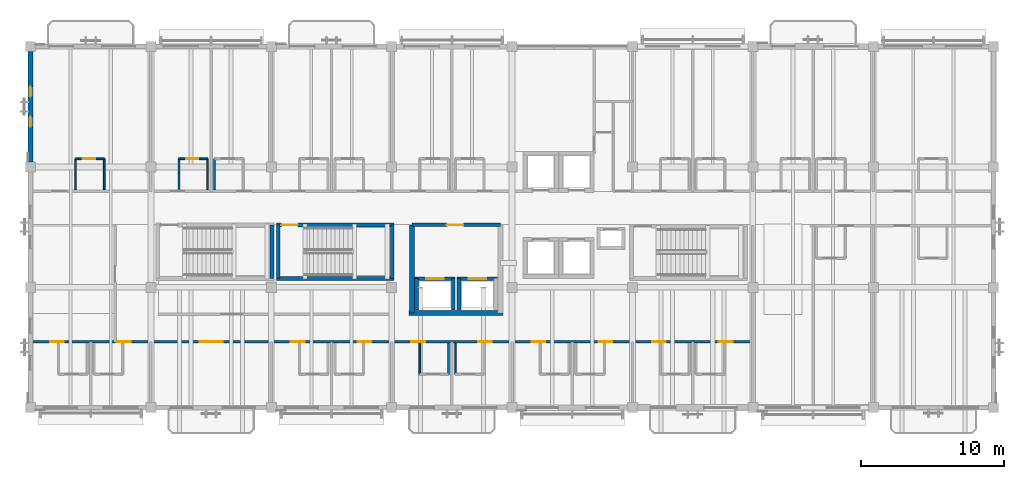
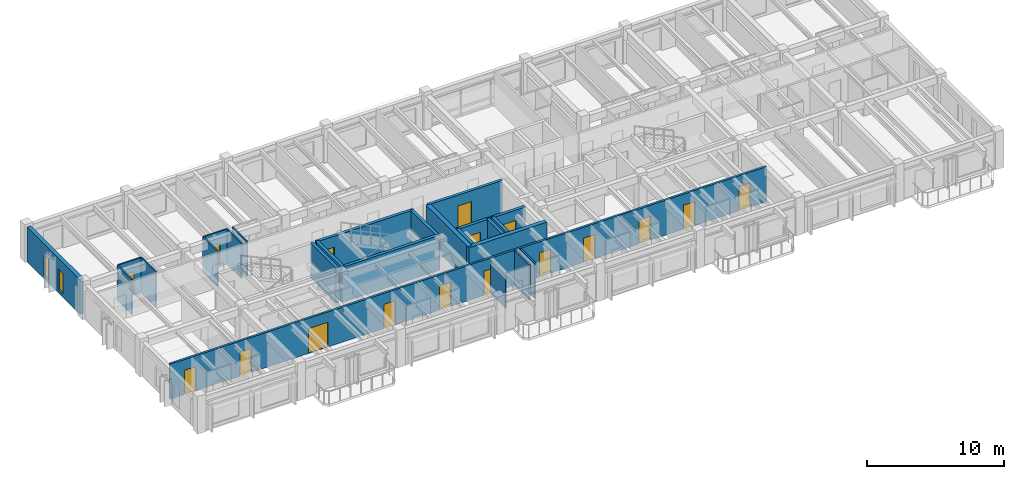
# One storey, part 7 of 18: 25 walls, 17 doors, 2 windows, 19 openings.
"""IFC4 building model written with IfcOpenShell, lengths in metres."""

from ifc_helpers import new_model, si_unit, direction, frame, frame_2d, origin, place, context, subcontext, project, spatial, rectangle, extrude, material, layer, layer_set, type_object, element, fill, save


model = new_model("IFC4")

# Units and contexts
model_context = context("Model", 3, precision=1e-05, world=origin(), true_north=direction((0.0, 1.0)))
body_context = subcontext(model_context, "Body", "Model", "MODEL_VIEW")
ifc_project = project(units=[si_unit("LENGTHUNIT", "METRE"), si_unit("AREAUNIT", "SQUARE_METRE"), si_unit("VOLUMEUNIT", "CUBIC_METRE"), si_unit("PLANEANGLEUNIT", "RADIAN"), si_unit("MASSUNIT", "GRAM", prefix="KILO")], contexts=[model_context])

# Site, building, storey
site_placement = place(None, origin())
site = spatial("IfcSite", under=ifc_project, at=site_placement, CompositionType="ELEMENT")
building_placement = place(site_placement, origin())
building = spatial("IfcBuilding", under=site, at=building_placement, Name="Cumbredor Promenade Congress Hotel", CompositionType="ELEMENT")
storey_placement = place(building_placement, frame((0.0, 0.0, 25.199951171875)))
storey = spatial("IfcBuildingStorey", under=building, at=storey_placement, Name="L07", CompositionType="ELEMENT", Elevation=25.199951171875)

# Walls
ifc_material_1 = material(Name="Concrete C50/60", Category="concrete")
ifc_layer_1 = layer(ifc_material_1, 0.35009765625, Name="Concrete C50/60", Category="concrete")
ifc_layer_set_1 = layer_set([ifc_layer_1], Name="Concrete C50/60")
wall_type_1 = type_object("IfcWallType", Name="Seismic Shear Core Wall 350mm", PredefinedType="SHEAR", material=ifc_layer_set_1)
wall_1_placement = place(storey_placement, frame((26.60009765625, 99.0, 0.0), z_axis=(0.0, 0.0, 1.0), x_axis=(0.0, 1.0, 0.0)))
element("IfcWall", 1, at=wall_1_placement, inside=storey, type_object=wall_type_1, Name="L07 Hotel Core Shear Wall W1", PredefinedType="SHEAR", context=body_context, shape_type="SweptSolid", body=[
    extrude(rectangle(XDim=6.14990234375, YDim=0.35009765625, at=frame_2d((3.074951171875, 0.0))), origin(), (0.0, 0.0, 1.0), 3.1201171875),
])
wall_2_placement = place(storey_placement, frame((26.425048828125, 99.0, 0.0), z_axis=(0.0, 0.0, 1.0), x_axis=(1.0, 0.0, 0.0)))
element("IfcWall", 2, at=wall_2_placement, inside=storey, type_object=wall_type_1, Name="L07 Hotel Core Shear Wall S1", PredefinedType="SHEAR", context=body_context, shape_type="SweptSolid", body=[
    extrude(rectangle(XDim=6.550048828125, YDim=0.35009765625, at=frame_2d((3.27490234375, 0.0))), origin(), (0.0, 0.0, 1.0), 3.1201171875),
])

# Wall, opening, door
ifc_material_2 = material(Name="Moisture-resistant gypsum board on steel studs", Category="steel")
ifc_layer_2 = layer(ifc_material_2, 0.114990234375, Name="Moisture-resistant gypsum board on steel studs", Category="steel")
ifc_layer_set_2 = layer_set([ifc_layer_2], Name="Moisture-resistant gypsum board on steel studs")
wall_type_2 = type_object("IfcWallType", Name="WL-BATH-115", PredefinedType="PARTITIONING", material=ifc_layer_set_2)
wall_3_placement = place(storey_placement, frame((3.14990234375, 109.77001953125, 0.0), z_axis=(0.0, 0.0, 1.0), x_axis=(1.0, 0.0, 0.0)))
wall_3 = element("IfcWall", 3, at=wall_3_placement, inside=storey, type_object=wall_type_2, Name="L07 Interior Partition W-L07-BH-0701", PredefinedType="PARTITIONING", context=body_context, shape_type="SweptSolid", body=[
    extrude(rectangle(XDim=2.0, YDim=0.114990234375, at=frame_2d((1.0, 0.0))), origin(), (0.0, 0.0, 1.0), 3.1201171875),
])
opening_1_placement = place(wall_3_placement, frame((0.5, 0.0, 0.0)))
opening_1 = element("IfcOpeningElement", 4, at=opening_1_placement, cuts=wall_3, Name="Opening ID-01", PredefinedType="OPENING", context=body_context, shape_type="SweptSolid", body=[
    extrude(rectangle(XDim=0.860107421875, YDim=2.050048828125, at=frame_2d((0.43017578125, 1.02490234375))), frame((0.0, 0.0673828125, 0.0), z_axis=(0.0, -1.0, 0.0), x_axis=(1.0, 0.0, 0.0)), (0.0, 0.0, 1.0), 0.135009765625),
])
ifc_material_3 = material(Name="Kiln-dried tropical hardwood", Category="wood")
door_type_1 = type_object("IfcDoorType", Name="DR-BATH-860", OperationType="NOTDEFINED", PredefinedType="DOOR", material=ifc_material_3)
door_1_placement = place(opening_1_placement, origin())
door_1 = element("IfcDoor", 5, at=door_1_placement, inside=storey, type_object=door_type_1, Name="L07 Interior Door W-L07-BH-0701-01", OperationType="SINGLE_SWING_LEFT", OverallHeight=2.050048828125, OverallWidth=0.860107421875, PredefinedType="DOOR", context=body_context, shape_type="SweptSolid", body=[
    extrude(rectangle(XDim=0.860107421875, YDim=2.050048828125, at=frame_2d((0.43017578125, 1.02490234375))), frame((0.0, 0.02490234375, 0.0), z_axis=(0.0, -1.0, 0.0), x_axis=(1.0, 0.0, 0.0)), (0.0, 0.0, 1.0), 0.050048828125),
])
fill(opening_1, door_1)

# Walls
for number, where, z_axis, x_axis, name in (
    (6, (3.14990234375, 107.6201171875, 0.0), (0.0, 0.0, 1.0), (0.0, 1.0, 0.0), "L07 Interior Partition W-L07-BV1-0701"),
    (7, (5.14990234375, 107.6201171875, 0.0), (0.0, 0.0, 1.0), (0.0, 1.0, 0.0), "L07 Interior Partition W-L07-BV2-0701"),
):
    element("IfcWall", number, at=place(storey_placement, frame(where, z_axis=z_axis, x_axis=x_axis)), inside=storey, type_object=wall_type_2, Name=name, PredefinedType="PARTITIONING", context=body_context, shape_type="SweptSolid", body=[
        extrude(rectangle(XDim=2.14990234375, YDim=0.114990234375, at=frame_2d((1.074951171875, 0.0))), origin(), (0.0, 0.0, 1.0), 3.1201171875),
    ])

# Wall, opening, door
wall_4_placement = place(storey_placement, frame((10.360107421875, 109.77001953125, 0.0), z_axis=(0.0, 0.0, 1.0), x_axis=(1.0, 0.0, 0.0)))
wall_4 = element("IfcWall", 8, at=wall_4_placement, inside=storey, type_object=wall_type_2, Name="L07 Interior Partition W-L07-BH-0702", PredefinedType="PARTITIONING", context=body_context, shape_type="SweptSolid", body=[
    extrude(rectangle(XDim=2.0, YDim=0.114990234375, at=frame_2d((1.0, 0.0))), origin(), (0.0, 0.0, 1.0), 3.1201171875),
])
opening_2_placement = place(wall_4_placement, frame((0.5, 0.0, 0.0)))
opening_2 = element("IfcOpeningElement", 9, at=opening_2_placement, cuts=wall_4, Name="Opening ID-01", PredefinedType="OPENING", context=body_context, shape_type="SweptSolid", body=[
    extrude(rectangle(XDim=0.860107421875, YDim=2.050048828125, at=frame_2d((0.43017578125, 1.02490234375))), frame((0.0, 0.0673828125, 0.0), z_axis=(0.0, -1.0, 0.0), x_axis=(1.0, 0.0, 0.0)), (0.0, 0.0, 1.0), 0.135009765625),
])
door_2_placement = place(opening_2_placement, origin())
door_2 = element("IfcDoor", 10, at=door_2_placement, inside=storey, type_object=door_type_1, Name="L07 Interior Door W-L07-BH-0702-01", OperationType="SINGLE_SWING_RIGHT", OverallHeight=2.050048828125, OverallWidth=0.860107421875, PredefinedType="DOOR", context=body_context, shape_type="SweptSolid", body=[
    extrude(rectangle(XDim=0.860107421875, YDim=2.050048828125, at=frame_2d((0.43017578125, 1.02490234375))), frame((0.0, 0.02490234375, 0.0), z_axis=(0.0, -1.0, 0.0), x_axis=(1.0, 0.0, 0.0)), (0.0, 0.0, 1.0), 0.050048828125),
])
fill(opening_2, door_2)

# Walls
for number, where, z_axis, x_axis, name in (
    (11, (10.360107421875, 107.6201171875, 0.0), (0.0, 0.0, 1.0), (0.0, 1.0, 0.0), "L07 Interior Partition W-L07-BV1-0702"),
    (12, (12.360107421875, 107.6201171875, 0.0), (0.0, 0.0, 1.0), (0.0, 1.0, 0.0), "L07 Interior Partition W-L07-BV2-0702"),
    (13, (12.840087890625, 107.6201171875, 0.0), (0.0, 0.0, 1.0), (0.0, 1.0, 0.0), "L07 Interior Partition W-L07-BV1-0703"),
):
    element("IfcWall", number, at=place(storey_placement, frame(where, z_axis=z_axis, x_axis=x_axis)), inside=storey, type_object=wall_type_2, Name=name, PredefinedType="PARTITIONING", context=body_context, shape_type="SweptSolid", body=[
        extrude(rectangle(XDim=2.14990234375, YDim=0.114990234375, at=frame_2d((1.074951171875, 0.0))), origin(), (0.0, 0.0, 1.0), 3.1201171875),
    ])
wall_5_placement = place(storey_placement, frame((27.159912109375, 94.72998046875, 0.0), z_axis=(0.0, 0.0, 1.0), x_axis=(0.0, 1.0, 0.0)))
element("IfcWall", 14, at=wall_5_placement, inside=storey, type_object=wall_type_2, Name="L07 Interior Partition W-L07-BV1-0777", PredefinedType="PARTITIONING", context=body_context, shape_type="SweptSolid", body=[
    extrude(rectangle(XDim=2.14990234375, YDim=0.114990234375, at=frame_2d((1.074951171875, 0.0))), origin(), (0.0, 0.0, 1.0), 2.64208984375),
])
for number, where, z_axis, x_axis, name in (
    (15, (29.159912109375, 94.72998046875, 0.0), (0.0, 0.0, 1.0), (0.0, 1.0, 0.0), "L07 Interior Partition W-L07-BV2-0777"),
    (16, (29.639892578125, 94.72998046875, 0.0), (0.0, 0.0, 1.0), (0.0, 1.0, 0.0), "L07 Interior Partition W-L07-BV1-0778"),
):
    element("IfcWall", number, at=place(storey_placement, frame(where, z_axis=z_axis, x_axis=x_axis)), inside=storey, type_object=wall_type_2, Name=name, PredefinedType="PARTITIONING", context=body_context, shape_type="SweptSolid", body=[
        extrude(rectangle(XDim=2.14990234375, YDim=0.114990234375, at=frame_2d((1.074951171875, 0.0))), origin(), (0.0, 0.0, 1.0), 3.1201171875),
    ])

# Wall, openings, doors
ifc_material_4 = material(Name="Fire-rated hotel corridor wall")
ifc_layer_3 = layer(ifc_material_4, 0.179931640625, Name="Fire-rated hotel corridor wall")
ifc_layer_set_3 = layer_set([ifc_layer_3], Name="Fire-rated hotel corridor wall")
wall_type_3 = type_object("IfcWallType", Name="WL-CORR-180", PredefinedType="PARTITIONING", material=ifc_layer_set_3)
wall_6_placement = place(storey_placement, frame((0.139892578125, 97.0, 0.0), z_axis=(0.0, 0.0, 1.0), x_axis=(1.0, 0.0, 0.0)))
wall_6 = element("IfcWall", 17, at=wall_6_placement, inside=storey, type_object=wall_type_3, Name="L07 Interior Partition W-L07-SC-CORRW", PredefinedType="PARTITIONING", context=body_context, shape_type="SweptSolid", body=[
    extrude(rectangle(XDim=50.260009765625, YDim=0.179931640625, at=frame_2d((25.1298828125, 0.0))), origin(), (0.0, 0.0, 1.0), 3.1201171875),
])
opening_3_placement = place(wall_6_placement, frame((1.22998046875, 0.0, 0.0)))
opening_3 = element("IfcOpeningElement", 18, at=opening_3_placement, cuts=wall_6, Name="Opening FD-01", PredefinedType="OPENING", context=body_context, shape_type="SweptSolid", body=[
    extrude(rectangle(XDim=0.9599609375, YDim=2.14990234375, at=frame_2d((0.47998046875, 1.074951171875))), frame((0.0, 0.10009765625, 0.0), z_axis=(0.0, -1.0, 0.0), x_axis=(1.0, 0.0, 0.0)), (0.0, 0.0, 1.0), 0.199951171875),
])
opening_4_placement = place(wall_6_placement, frame((5.889892578125, 0.0, 0.0)))
opening_4 = element("IfcOpeningElement", 19, at=opening_4_placement, cuts=wall_6, Name="Opening FD-01", PredefinedType="OPENING", context=body_context, shape_type="SweptSolid", body=[
    extrude(rectangle(XDim=0.9599609375, YDim=2.14990234375, at=frame_2d((0.47998046875, 1.074951171875))), frame((0.0, 0.10009765625, 0.0), z_axis=(0.0, -1.0, 0.0), x_axis=(1.0, 0.0, 0.0)), (0.0, 0.0, 1.0), 0.199951171875),
])
opening_5_placement = place(wall_6_placement, frame((11.659912109375, 0.0, 0.0)))
opening_5 = element("IfcOpeningElement", 20, at=opening_5_placement, cuts=wall_6, Name="Opening FD-08", PredefinedType="OPENING", context=body_context, shape_type="SweptSolid", body=[
    extrude(rectangle(XDim=1.6201171875, YDim=2.199951171875, at=frame_2d((0.81005859375, 1.10009765625))), frame((0.0, 0.10009765625, 0.0), z_axis=(0.0, -1.0, 0.0), x_axis=(1.0, 0.0, 0.0)), (0.0, 0.0, 1.0), 0.199951171875),
])
opening_6_placement = place(wall_6_placement, frame((18.030029296875, 0.0, 0.0)))
opening_6 = element("IfcOpeningElement", 21, at=opening_6_placement, cuts=wall_6, Name="Opening FD-01", PredefinedType="OPENING", context=body_context, shape_type="SweptSolid", body=[
    extrude(rectangle(XDim=0.9599609375, YDim=2.14990234375, at=frame_2d((0.47998046875, 1.074951171875))), frame((0.0, 0.10009765625, 0.0), z_axis=(0.0, -1.0, 0.0), x_axis=(1.0, 0.0, 0.0)), (0.0, 0.0, 1.0), 0.199951171875),
])
opening_7_placement = place(wall_6_placement, frame((22.68994140625, 0.0, 0.0)))
opening_7 = element("IfcOpeningElement", 22, at=opening_7_placement, cuts=wall_6, Name="Opening FD-01", PredefinedType="OPENING", context=body_context, shape_type="SweptSolid", body=[
    extrude(rectangle(XDim=0.9599609375, YDim=2.14990234375, at=frame_2d((0.47998046875, 1.074951171875))), frame((0.0, 0.10009765625, 0.0), z_axis=(0.0, -1.0, 0.0), x_axis=(1.0, 0.0, 0.0)), (0.0, 0.0, 1.0), 0.199951171875),
])
opening_8_placement = place(wall_6_placement, frame((26.429931640625, 0.0, 0.0)))
opening_8 = element("IfcOpeningElement", 23, at=opening_8_placement, cuts=wall_6, Name="Opening FD-01", PredefinedType="OPENING", context=body_context, shape_type="SweptSolid", body=[
    extrude(rectangle(XDim=0.9599609375, YDim=2.14990234375, at=frame_2d((0.47998046875, 1.074951171875))), frame((0.0, 0.10009765625, 0.0), z_axis=(0.0, -1.0, 0.0), x_axis=(1.0, 0.0, 0.0)), (0.0, 0.0, 1.0), 0.199951171875),
])
opening_9_placement = place(wall_6_placement, frame((31.090087890625, 0.0, 0.0)))
opening_9 = element("IfcOpeningElement", 24, at=opening_9_placement, cuts=wall_6, Name="Opening FD-01", PredefinedType="OPENING", context=body_context, shape_type="SweptSolid", body=[
    extrude(rectangle(XDim=0.9599609375, YDim=2.14990234375, at=frame_2d((0.47998046875, 1.074951171875))), frame((0.0, 0.10009765625, 0.0), z_axis=(0.0, -1.0, 0.0), x_axis=(1.0, 0.0, 0.0)), (0.0, 0.0, 1.0), 0.199951171875),
])
opening_10_placement = place(wall_6_placement, frame((34.830078125, 0.0, 0.0)))
opening_10 = element("IfcOpeningElement", 25, at=opening_10_placement, cuts=wall_6, Name="Opening FD-01", PredefinedType="OPENING", context=body_context, shape_type="SweptSolid", body=[
    extrude(rectangle(XDim=0.9599609375, YDim=2.14990234375, at=frame_2d((0.47998046875, 1.074951171875))), frame((0.0, 0.10009765625, 0.0), z_axis=(0.0, -1.0, 0.0), x_axis=(1.0, 0.0, 0.0)), (0.0, 0.0, 1.0), 0.199951171875),
])
opening_11_placement = place(wall_6_placement, frame((39.489990234375, 0.0, 0.0)))
opening_11 = element("IfcOpeningElement", 26, at=opening_11_placement, cuts=wall_6, Name="Opening FD-01", PredefinedType="OPENING", context=body_context, shape_type="SweptSolid", body=[
    extrude(rectangle(XDim=0.9599609375, YDim=2.14990234375, at=frame_2d((0.47998046875, 1.074951171875))), frame((0.0, 0.10009765625, 0.0), z_axis=(0.0, -1.0, 0.0), x_axis=(1.0, 0.0, 0.0)), (0.0, 0.0, 1.0), 0.199951171875),
])
opening_12_placement = place(wall_6_placement, frame((43.22998046875, 0.0, 0.0)))
opening_12 = element("IfcOpeningElement", 27, at=opening_12_placement, cuts=wall_6, Name="Opening FD-01", PredefinedType="OPENING", context=body_context, shape_type="SweptSolid", body=[
    extrude(rectangle(XDim=0.9599609375, YDim=2.14990234375, at=frame_2d((0.47998046875, 1.074951171875))), frame((0.0, 0.10009765625, 0.0), z_axis=(0.0, -1.0, 0.0), x_axis=(1.0, 0.0, 0.0)), (0.0, 0.0, 1.0), 0.199951171875),
])
opening_13_placement = place(wall_6_placement, frame((47.889892578125, 0.0, 0.0)))
opening_13 = element("IfcOpeningElement", 28, at=opening_13_placement, cuts=wall_6, Name="Opening FD-01", PredefinedType="OPENING", context=body_context, shape_type="SweptSolid", body=[
    extrude(rectangle(XDim=0.9599609375, YDim=2.14990234375, at=frame_2d((0.47998046875, 1.074951171875))), frame((0.0, 0.10009765625, 0.0), z_axis=(0.0, -1.0, 0.0), x_axis=(1.0, 0.0, 0.0)), (0.0, 0.0, 1.0), 0.199951171875),
])
ifc_material_5 = material(Name="Solid-core fire-rated tropical hardwood", Category="wood")
door_type_2 = type_object("IfcDoorType", Name="DR-DBL-FD60-1600", OperationType="DOUBLE_DOOR_SINGLE_SWING", PredefinedType="DOOR", material=ifc_material_5)
door_3_placement = place(opening_5_placement, origin())
door_3 = element("IfcDoor", 29, at=door_3_placement, inside=storey, type_object=door_type_2, Name="L07 Interior Door W-L07-SC-CORRW-03", OperationType="DOUBLE_DOOR_SINGLE_SWING", OverallHeight=2.199951171875, OverallWidth=1.6201171875, PredefinedType="DOOR", context=body_context, shape_type="SweptSolid", body=[
    extrude(rectangle(XDim=1.6201171875, YDim=2.199951171875, at=frame_2d((0.81005859375, 1.10009765625))), frame((0.0, 0.02490234375, 0.0), z_axis=(0.0, -1.0, 0.0), x_axis=(1.0, 0.0, 0.0)), (0.0, 0.0, 1.0), 0.050048828125),
])
fill(opening_5, door_3)
door_type_3 = type_object("IfcDoorType", Name="DR-GUEST-FD30-950", OperationType="NOTDEFINED", PredefinedType="DOOR", material=ifc_material_5)
door_4_placement = place(opening_3_placement, origin())
door_4 = element("IfcDoor", 30, at=door_4_placement, inside=storey, type_object=door_type_3, Name="L07 Interior Door W-L07-SC-CORRW-01", OperationType="SINGLE_SWING_RIGHT", OverallHeight=2.14990234375, OverallWidth=0.9599609375, PredefinedType="DOOR", context=body_context, shape_type="SweptSolid", body=[
    extrude(rectangle(XDim=0.9599609375, YDim=2.14990234375, at=frame_2d((0.47998046875, 1.074951171875))), frame((0.0, 0.02490234375, 0.0), z_axis=(0.0, -1.0, 0.0), x_axis=(1.0, 0.0, 0.0)), (0.0, 0.0, 1.0), 0.050048828125),
])
fill(opening_3, door_4)
door_5_placement = place(opening_4_placement, origin())
door_5 = element("IfcDoor", 31, at=door_5_placement, inside=storey, type_object=door_type_3, Name="L07 Interior Door W-L07-SC-CORRW-02", OperationType="SINGLE_SWING_LEFT", OverallHeight=2.14990234375, OverallWidth=0.9599609375, PredefinedType="DOOR", context=body_context, shape_type="SweptSolid", body=[
    extrude(rectangle(XDim=0.9599609375, YDim=2.14990234375, at=frame_2d((0.47998046875, 1.074951171875))), frame((0.0, 0.02490234375, 0.0), z_axis=(0.0, -1.0, 0.0), x_axis=(1.0, 0.0, 0.0)), (0.0, 0.0, 1.0), 0.050048828125),
])
fill(opening_4, door_5)
door_6_placement = place(opening_6_placement, origin())
door_6 = element("IfcDoor", 32, at=door_6_placement, inside=storey, type_object=door_type_3, Name="L07 Interior Door W-L07-SC-CORRW-04", OperationType="SINGLE_SWING_RIGHT", OverallHeight=2.14990234375, OverallWidth=0.9599609375, PredefinedType="DOOR", context=body_context, shape_type="SweptSolid", body=[
    extrude(rectangle(XDim=0.9599609375, YDim=2.14990234375, at=frame_2d((0.47998046875, 1.074951171875))), frame((0.0, 0.02490234375, 0.0), z_axis=(0.0, -1.0, 0.0), x_axis=(1.0, 0.0, 0.0)), (0.0, 0.0, 1.0), 0.050048828125),
])
fill(opening_6, door_6)
door_7_placement = place(opening_7_placement, origin())
door_7 = element("IfcDoor", 33, at=door_7_placement, inside=storey, type_object=door_type_3, Name="L07 Interior Door W-L07-SC-CORRW-05", OperationType="SINGLE_SWING_LEFT", OverallHeight=2.14990234375, OverallWidth=0.9599609375, PredefinedType="DOOR", context=body_context, shape_type="SweptSolid", body=[
    extrude(rectangle(XDim=0.9599609375, YDim=2.14990234375, at=frame_2d((0.47998046875, 1.074951171875))), frame((0.0, 0.02490234375, 0.0), z_axis=(0.0, -1.0, 0.0), x_axis=(1.0, 0.0, 0.0)), (0.0, 0.0, 1.0), 0.050048828125),
])
fill(opening_7, door_7)
door_8_placement = place(opening_8_placement, origin())
door_8 = element("IfcDoor", 34, at=door_8_placement, inside=storey, type_object=door_type_3, Name="L07 Interior Door W-L07-SC-CORRW-06", OperationType="SINGLE_SWING_RIGHT", OverallHeight=2.14990234375, OverallWidth=0.9599609375, PredefinedType="DOOR", context=body_context, shape_type="SweptSolid", body=[
    extrude(rectangle(XDim=0.9599609375, YDim=2.14990234375, at=frame_2d((0.47998046875, 1.074951171875))), frame((0.0, 0.02490234375, 0.0), z_axis=(0.0, -1.0, 0.0), x_axis=(1.0, 0.0, 0.0)), (0.0, 0.0, 1.0), 0.050048828125),
])
fill(opening_8, door_8)
door_9_placement = place(opening_9_placement, origin())
door_9 = element("IfcDoor", 35, at=door_9_placement, inside=storey, type_object=door_type_3, Name="L07 Interior Door W-L07-SC-CORRW-07", OperationType="SINGLE_SWING_LEFT", OverallHeight=2.14990234375, OverallWidth=0.9599609375, PredefinedType="DOOR", context=body_context, shape_type="SweptSolid", body=[
    extrude(rectangle(XDim=0.9599609375, YDim=2.14990234375, at=frame_2d((0.47998046875, 1.074951171875))), frame((0.0, 0.02490234375, 0.0), z_axis=(0.0, -1.0, 0.0), x_axis=(1.0, 0.0, 0.0)), (0.0, 0.0, 1.0), 0.050048828125),
])
fill(opening_9, door_9)
door_10_placement = place(opening_10_placement, origin())
door_10 = element("IfcDoor", 36, at=door_10_placement, inside=storey, type_object=door_type_3, Name="L07 Interior Door W-L07-SC-CORRW-08", OperationType="SINGLE_SWING_RIGHT", OverallHeight=2.14990234375, OverallWidth=0.9599609375, PredefinedType="DOOR", context=body_context, shape_type="SweptSolid", body=[
    extrude(rectangle(XDim=0.9599609375, YDim=2.14990234375, at=frame_2d((0.47998046875, 1.074951171875))), frame((0.0, 0.02490234375, 0.0), z_axis=(0.0, -1.0, 0.0), x_axis=(1.0, 0.0, 0.0)), (0.0, 0.0, 1.0), 0.050048828125),
])
fill(opening_10, door_10)
door_11_placement = place(opening_11_placement, origin())
door_11 = element("IfcDoor", 37, at=door_11_placement, inside=storey, type_object=door_type_3, Name="L07 Interior Door W-L07-SC-CORRW-09", OperationType="SINGLE_SWING_LEFT", OverallHeight=2.14990234375, OverallWidth=0.9599609375, PredefinedType="DOOR", context=body_context, shape_type="SweptSolid", body=[
    extrude(rectangle(XDim=0.9599609375, YDim=2.14990234375, at=frame_2d((0.47998046875, 1.074951171875))), frame((0.0, 0.02490234375, 0.0), z_axis=(0.0, -1.0, 0.0), x_axis=(1.0, 0.0, 0.0)), (0.0, 0.0, 1.0), 0.050048828125),
])
fill(opening_11, door_11)
door_12_placement = place(opening_12_placement, origin())
door_12 = element("IfcDoor", 38, at=door_12_placement, inside=storey, type_object=door_type_3, Name="L07 Interior Door W-L07-SC-CORRW-10", OperationType="SINGLE_SWING_RIGHT", OverallHeight=2.14990234375, OverallWidth=0.9599609375, PredefinedType="DOOR", context=body_context, shape_type="SweptSolid", body=[
    extrude(rectangle(XDim=0.9599609375, YDim=2.14990234375, at=frame_2d((0.47998046875, 1.074951171875))), frame((0.0, 0.02490234375, 0.0), z_axis=(0.0, -1.0, 0.0), x_axis=(1.0, 0.0, 0.0)), (0.0, 0.0, 1.0), 0.050048828125),
])
fill(opening_12, door_12)
door_13_placement = place(opening_13_placement, origin())
door_13 = element("IfcDoor", 39, at=door_13_placement, inside=storey, type_object=door_type_3, Name="L07 Interior Door W-L07-SC-CORRW-11", OperationType="SINGLE_SWING_LEFT", OverallHeight=2.14990234375, OverallWidth=0.9599609375, PredefinedType="DOOR", context=body_context, shape_type="SweptSolid", body=[
    extrude(rectangle(XDim=0.9599609375, YDim=2.14990234375, at=frame_2d((0.47998046875, 1.074951171875))), frame((0.0, 0.02490234375, 0.0), z_axis=(0.0, -1.0, 0.0), x_axis=(1.0, 0.0, 0.0)), (0.0, 0.0, 1.0), 0.050048828125),
])
fill(opening_13, door_13)

# Wall, openings, windows
ifc_material_6 = material(Name="Concrete C40/50", Category="concrete")
ifc_layer_4 = layer(ifc_material_6, 0.324951171875, Name="Concrete C40/50", Category="concrete")
ifc_layer_set_4 = layer_set([ifc_layer_4], Name="Concrete C40/50")
wall_type_4 = type_object("IfcWallType", Name="WL-EXT-325", PredefinedType="SOLIDWALL", material=ifc_layer_set_4)
wall_7_placement = place(storey_placement, frame((0.0, 109.551025390625, 0.0), z_axis=(0.0, 0.0, 1.0), x_axis=(0.0, 1.0, 0.0)))
wall_7 = element("IfcWall", 40, at=wall_7_placement, inside=storey, type_object=wall_type_4, Name="L07 Stepped Congress Hotel Wing West Envelope Wall 3", PredefinedType="SOLIDWALL", context=body_context, shape_type="SweptSolid", body=[
    extrude(rectangle(XDim=7.697998046875, YDim=0.324951171875, at=frame_2d((3.84912109375, 0.0))), origin(), (0.0, 0.0, 1.0), 3.1201171875),
])
opening_14_placement = place(wall_7_placement, frame((2.43896484375, 0.0, 0.300048828125)))
opening_14 = element("IfcOpeningElement", 41, at=opening_14_placement, cuts=wall_7, Name="Opening WN-45", PredefinedType="OPENING", context=body_context, shape_type="SweptSolid", body=[
    extrude(rectangle(XDim=0.719970703125, YDim=1.85009765625, at=frame_2d((0.35986328125, 0.925048828125))), frame((0.0, 0.17236328125, 0.0), z_axis=(0.0, -1.0, 0.0), x_axis=(1.0, 0.0, 0.0)), (0.0, 0.0, 1.0), 0.344970703125),
])
opening_15_placement = place(wall_7_placement, frame((4.5390625, 0.0, 0.300048828125)))
opening_15 = element("IfcOpeningElement", 42, at=opening_15_placement, cuts=wall_7, Name="Opening WN-45", PredefinedType="OPENING", context=body_context, shape_type="SweptSolid", body=[
    extrude(rectangle(XDim=0.719970703125, YDim=1.85009765625, at=frame_2d((0.35986328125, 0.925048828125))), frame((0.0, 0.17236328125, 0.0), z_axis=(0.0, -1.0, 0.0), x_axis=(1.0, 0.0, 0.0)), (0.0, 0.0, 1.0), 0.344970703125),
])
ifc_material_7 = material(Name="Thermally broken anodized aluminium and low-E glass", Category="aluminium")
window_type = type_object("IfcWindowType", Name="Vertical Slot Window WN-45 720x1850", PartitioningType="SINGLE_PANEL", PredefinedType="WINDOW", material=ifc_material_7)
window_1_placement = place(opening_14_placement, origin())
window_1 = element("IfcWindow", 43, at=window_1_placement, inside=storey, type_object=window_type, Name="L07 Vertical Slot Window 0642", OverallHeight=1.85009765625, OverallWidth=0.719970703125, PartitioningType="SINGLE_PANEL", PredefinedType="WINDOW", context=body_context, shape_type="SweptSolid", body=[
    extrude(rectangle(XDim=0.719970703125, YDim=1.85009765625, at=frame_2d((0.35986328125, 0.925048828125))), frame((0.0, 0.030029296875, 0.0), z_axis=(0.0, -1.0, 0.0), x_axis=(1.0, 0.0, 0.0)), (0.0, 0.0, 1.0), 0.06005859375),
])
fill(opening_14, window_1)
window_2_placement = place(opening_15_placement, origin())
window_2 = element("IfcWindow", 44, at=window_2_placement, inside=storey, type_object=window_type, Name="L07 Vertical Slot Window 0643", OverallHeight=1.85009765625, OverallWidth=0.719970703125, PartitioningType="SINGLE_PANEL", PredefinedType="WINDOW", context=body_context, shape_type="SweptSolid", body=[
    extrude(rectangle(XDim=0.719970703125, YDim=1.85009765625, at=frame_2d((0.35986328125, 0.925048828125))), frame((0.0, 0.030029296875, 0.0), z_axis=(0.0, -1.0, 0.0), x_axis=(1.0, 0.0, 0.0)), (0.0, 0.0, 1.0), 0.06005859375),
])
fill(opening_15, window_2)

# Wall, opening, door
ifc_layer_5 = layer(ifc_material_6, 0.239990234375, Name="Concrete C40/50", Category="concrete")
ifc_layer_set_5 = layer_set([ifc_layer_5], Name="Concrete C40/50")
wall_type_5 = type_object("IfcWallType", Name="WL-FFL-240", PredefinedType="SOLIDWALL", material=ifc_layer_set_5)
wall_8_placement = place(storey_placement, frame((26.60009765625, 105.14990234375, 0.0), z_axis=(0.0, 0.0, 1.0), x_axis=(1.0, 0.0, 0.0)))
wall_8 = element("IfcWall", 45, at=wall_8_placement, inside=storey, type_object=wall_type_5, Name="L07 Interior Partition W-FFL-L07-N", PredefinedType="SOLIDWALL", context=body_context, shape_type="SweptSolid", body=[
    extrude(rectangle(XDim=6.199951171875, YDim=0.239990234375, at=frame_2d((3.10009765625, 0.0))), origin(), (0.0, 0.0, 1.0), 3.1201171875),
])
opening_16_placement = place(wall_8_placement, frame((2.449951171875, 0.0, 0.0)))
opening_16 = element("IfcOpeningElement", 46, at=opening_16_placement, cuts=wall_8, Name="Opening FD-05", PredefinedType="OPENING", context=body_context, shape_type="SweptSolid", body=[
    extrude(rectangle(XDim=1.14990234375, YDim=2.14990234375, at=frame_2d((0.574951171875, 1.074951171875))), frame((0.0, 0.1298828125, 0.0), z_axis=(0.0, -1.0, 0.0), x_axis=(1.0, 0.0, 0.0)), (0.0, 0.0, 1.0), 0.260009765625),
])
ifc_material_8 = material(Name="Painted galvanized steel fire door", Category="steel")
door_type_4 = type_object("IfcDoorType", Name="DR-SGL-FD60-1150", OperationType="NOTDEFINED", PredefinedType="DOOR", material=ifc_material_8)
door_14_placement = place(opening_16_placement, origin())
door_14 = element("IfcDoor", 47, at=door_14_placement, inside=storey, type_object=door_type_4, Name="L07 Interior Door W-FFL-L07-N-01", OperationType="SINGLE_SWING_RIGHT", OverallHeight=2.14990234375, OverallWidth=1.14990234375, PredefinedType="DOOR", context=body_context, shape_type="SweptSolid", body=[
    extrude(rectangle(XDim=1.14990234375, YDim=2.14990234375, at=frame_2d((0.574951171875, 1.074951171875))), frame((0.0, 0.02490234375, 0.0), z_axis=(0.0, -1.0, 0.0), x_axis=(1.0, 0.0, 0.0)), (0.0, 0.0, 1.0), 0.050048828125),
])
fill(opening_16, door_14)

# Walls
ifc_layer_6 = layer(ifc_material_6, 0.2548828125, Name="Concrete C40/50", Category="concrete")
ifc_layer_set_6 = layer_set([ifc_layer_6], Name="Concrete C40/50")
wall_type_6 = type_object("IfcWallType", Name="WL-SHAFT-250", PredefinedType="SOLIDWALL", material=ifc_layer_set_6)
wall_9_placement = place(storey_placement, frame((16.85009765625, 101.419921875, 0.0), z_axis=(0.0, 0.0, 1.0), x_axis=(0.0, 1.0, 0.0)))
element("IfcWall", 48, at=wall_9_placement, inside=storey, type_object=wall_type_6, Name="STAIR-ST-01-L07 Shaft Wall East", PredefinedType="SOLIDWALL", context=body_context, shape_type="SweptSolid", body=[
    extrude(rectangle(XDim=3.72998046875, YDim=0.2548828125, at=frame_2d((1.864990234375, 0.0))), origin(), (0.0, 0.0, 1.0), 3.1201171875),
])
wall_10_placement = place(storey_placement, frame((17.152587890625, 101.419921875, 0.0), z_axis=(0.0, 0.0, 1.0), x_axis=(1.0, 0.0, 0.0)))
element("IfcWall", 49, at=wall_10_placement, inside=storey, type_object=wall_type_6, Name="STAIR-ST-02-L07 Shaft Wall South", PredefinedType="SOLIDWALL", context=body_context, shape_type="SweptSolid", body=[
    extrude(rectangle(XDim=8.224853515625, YDim=0.2548828125, at=frame_2d((4.1123046875, 0.0))), origin(), (0.0, 0.0, 1.0), 3.1201171875),
])

# Wall, opening, door
wall_11_placement = place(storey_placement, frame((17.152587890625, 105.14990234375, 0.0), z_axis=(0.0, 0.0, 1.0), x_axis=(1.0, 0.0, 0.0)))
wall_11 = element("IfcWall", 50, at=wall_11_placement, inside=storey, type_object=wall_type_6, Name="STAIR-ST-02-L07 Shaft Wall North", PredefinedType="SOLIDWALL", context=body_context, shape_type="SweptSolid", body=[
    extrude(rectangle(XDim=8.224853515625, YDim=0.2548828125, at=frame_2d((4.1123046875, 0.0))), origin(), (0.0, 0.0, 1.0), 3.1201171875),
])
opening_17_placement = place(wall_11_placement, frame((0.35009765625, 0.0, 0.0)))
opening_17 = element("IfcOpeningElement", 51, at=opening_17_placement, cuts=wall_11, Name="Opening SD-01", PredefinedType="OPENING", context=body_context, shape_type="SweptSolid", body=[
    extrude(rectangle(XDim=1.159912109375, YDim=2.14990234375, at=frame_2d((0.580078125, 1.074951171875))), frame((0.0, 0.137451171875, 0.0), z_axis=(0.0, -1.0, 0.0), x_axis=(1.0, 0.0, 0.0)), (0.0, 0.0, 1.0), 0.27490234375),
])
door_type_5 = type_object("IfcDoorType", Name="DR-STAIR-FD90-1150", OperationType="NOTDEFINED", PredefinedType="DOOR", material=ifc_material_8)
door_15_placement = place(opening_17_placement, origin())
door_15 = element("IfcDoor", 52, at=door_15_placement, inside=storey, type_object=door_type_5, Name="L07 Protected Exit Stair ST-02 Door", OperationType="SINGLE_SWING_RIGHT", OverallHeight=2.14990234375, OverallWidth=1.159912109375, PredefinedType="DOOR", context=body_context, shape_type="SweptSolid", body=[
    extrude(rectangle(XDim=1.159912109375, YDim=2.14990234375, at=frame_2d((0.580078125, 1.074951171875))), frame((0.0, 0.02490234375, 0.0), z_axis=(0.0, -1.0, 0.0), x_axis=(1.0, 0.0, 0.0)), (0.0, 0.0, 1.0), 0.050048828125),
])
fill(opening_17, door_15)

# Walls
for number, where, z_axis, x_axis, name in (
    (53, (17.280029296875, 101.419921875, 0.0), (0.0, 0.0, 1.0), (0.0, 1.0, 0.0), "STAIR-ST-02-L07 Shaft Wall West"),
    (54, (25.25, 101.419921875, 0.0), (0.0, 0.0, 1.0), (0.0, 1.0, 0.0), "STAIR-ST-02-L07 Shaft Wall East"),
):
    element("IfcWall", number, at=place(storey_placement, frame(where, z_axis=z_axis, x_axis=x_axis)), inside=storey, type_object=wall_type_6, Name=name, PredefinedType="SOLIDWALL", context=body_context, shape_type="SweptSolid", body=[
        extrude(rectangle(XDim=3.72998046875, YDim=0.2548828125, at=frame_2d((1.864990234375, 0.0))), origin(), (0.0, 0.0, 1.0), 3.1201171875),
    ])

# Wall, opening, door
wall_12_placement = place(storey_placement, frame((26.802490234375, 101.39990234375, 0.0), z_axis=(0.0, 0.0, 1.0), x_axis=(1.0, 0.0, 0.0)))
wall_12 = element("IfcWall", 55, at=wall_12_placement, inside=storey, type_object=wall_type_6, Name="SHAFT-FF-01-L07 Shaft Wall North", PredefinedType="SOLIDWALL", context=body_context, shape_type="SweptSolid", body=[
    extrude(rectangle(XDim=2.824951171875, YDim=0.2548828125, at=frame_2d((1.41259765625, 0.0))), origin(), (0.0, 0.0, 1.0), 3.1201171875),
])
opening_18_placement = place(wall_12_placement, frame((0.8125, 0.0, 0.0)))
opening_18 = element("IfcOpeningElement", 56, at=opening_18_placement, cuts=wall_12, Name="Opening LD-02", PredefinedType="OPENING", context=body_context, shape_type="SweptSolid", body=[
    extrude(rectangle(XDim=1.199951171875, YDim=2.199951171875, at=frame_2d((0.60009765625, 1.10009765625))), frame((0.0, 0.137451171875, 0.0), z_axis=(0.0, -1.0, 0.0), x_axis=(1.0, 0.0, 0.0)), (0.0, 0.0, 1.0), 0.27490234375),
])
ifc_material_9 = material(Name="Brushed stainless steel", Category="steel")
door_type_6 = type_object("IfcDoorType", Name="Firefighting Lift Sliding Door LD-02 1200x2200", OperationType="DOUBLE_DOOR_SLIDING", PredefinedType="DOOR", material=ifc_material_9)
door_16_placement = place(opening_18_placement, origin())
door_16 = element("IfcDoor", 57, at=door_16_placement, inside=storey, type_object=door_type_6, Name="L07 Firefighting Lift FF-01 Sliding Landing Door", OperationType="DOUBLE_DOOR_SLIDING", OverallHeight=2.199951171875, OverallWidth=1.199951171875, PredefinedType="DOOR", context=body_context, shape_type="SweptSolid", body=[
    extrude(rectangle(XDim=1.199951171875, YDim=2.199951171875, at=frame_2d((0.60009765625, 1.10009765625))), frame((0.0, 0.02490234375, 0.0), z_axis=(0.0, -1.0, 0.0), x_axis=(1.0, 0.0, 0.0)), (0.0, 0.0, 1.0), 0.050048828125),
])
fill(opening_18, door_16)

# Walls
for number, where, z_axis, x_axis, name in (
    (58, (26.929931640625, 99.199951171875, 0.0), (0.0, 0.0, 1.0), (0.0, 1.0, 0.0), "SHAFT-FF-01-L07 Shaft Wall West"),
    (59, (29.5, 99.199951171875, 0.0), (0.0, 0.0, 1.0), (0.0, 1.0, 0.0), "SHAFT-FF-01-L07 Shaft Wall East"),
):
    element("IfcWall", number, at=place(storey_placement, frame(where, z_axis=z_axis, x_axis=x_axis)), inside=storey, type_object=wall_type_6, Name=name, PredefinedType="SOLIDWALL", context=body_context, shape_type="SweptSolid", body=[
        extrude(rectangle(XDim=2.199951171875, YDim=0.2548828125, at=frame_2d((1.10009765625, 0.0))), origin(), (0.0, 0.0, 1.0), 3.1201171875),
    ])

# Wall, opening, door
wall_13_placement = place(storey_placement, frame((29.7724609375, 101.39990234375, 0.0), z_axis=(0.0, 0.0, 1.0), x_axis=(1.0, 0.0, 0.0)))
wall_13 = element("IfcWall", 60, at=wall_13_placement, inside=storey, type_object=wall_type_6, Name="SHAFT-FF-02-L07 Shaft Wall North", PredefinedType="SOLIDWALL", context=body_context, shape_type="SweptSolid", body=[
    extrude(rectangle(XDim=2.824951171875, YDim=0.2548828125, at=frame_2d((1.41259765625, 0.0))), origin(), (0.0, 0.0, 1.0), 3.1201171875),
])
opening_19_placement = place(wall_13_placement, frame((0.8125, 0.0, 0.0)))
opening_19 = element("IfcOpeningElement", 61, at=opening_19_placement, cuts=wall_13, Name="Opening LD-02", PredefinedType="OPENING", context=body_context, shape_type="SweptSolid", body=[
    extrude(rectangle(XDim=1.199951171875, YDim=2.199951171875, at=frame_2d((0.60009765625, 1.10009765625))), frame((0.0, 0.137451171875, 0.0), z_axis=(0.0, -1.0, 0.0), x_axis=(1.0, 0.0, 0.0)), (0.0, 0.0, 1.0), 0.27490234375),
])
door_17_placement = place(opening_19_placement, origin())
door_17 = element("IfcDoor", 62, at=door_17_placement, inside=storey, type_object=door_type_6, Name="L07 Firefighting Lift FF-02 Sliding Landing Door", OperationType="DOUBLE_DOOR_SLIDING", OverallHeight=2.199951171875, OverallWidth=1.199951171875, PredefinedType="DOOR", context=body_context, shape_type="SweptSolid", body=[
    extrude(rectangle(XDim=1.199951171875, YDim=2.199951171875, at=frame_2d((0.60009765625, 1.10009765625))), frame((0.0, 0.02490234375, 0.0), z_axis=(0.0, -1.0, 0.0), x_axis=(1.0, 0.0, 0.0)), (0.0, 0.0, 1.0), 0.050048828125),
])
fill(opening_19, door_17)

# Wall
wall_14_placement = place(storey_placement, frame((29.89990234375, 99.199951171875, 0.0), z_axis=(0.0, 0.0, 1.0), x_axis=(0.0, 1.0, 0.0)))
element("IfcWall", 63, at=wall_14_placement, inside=storey, type_object=wall_type_6, Name="SHAFT-FF-02-L07 Shaft Wall West", PredefinedType="SOLIDWALL", context=body_context, shape_type="SweptSolid", body=[
    extrude(rectangle(XDim=2.199951171875, YDim=0.2548828125, at=frame_2d((1.10009765625, 0.0))), origin(), (0.0, 0.0, 1.0), 3.1201171875),
])

save(model, "model.ifc")
